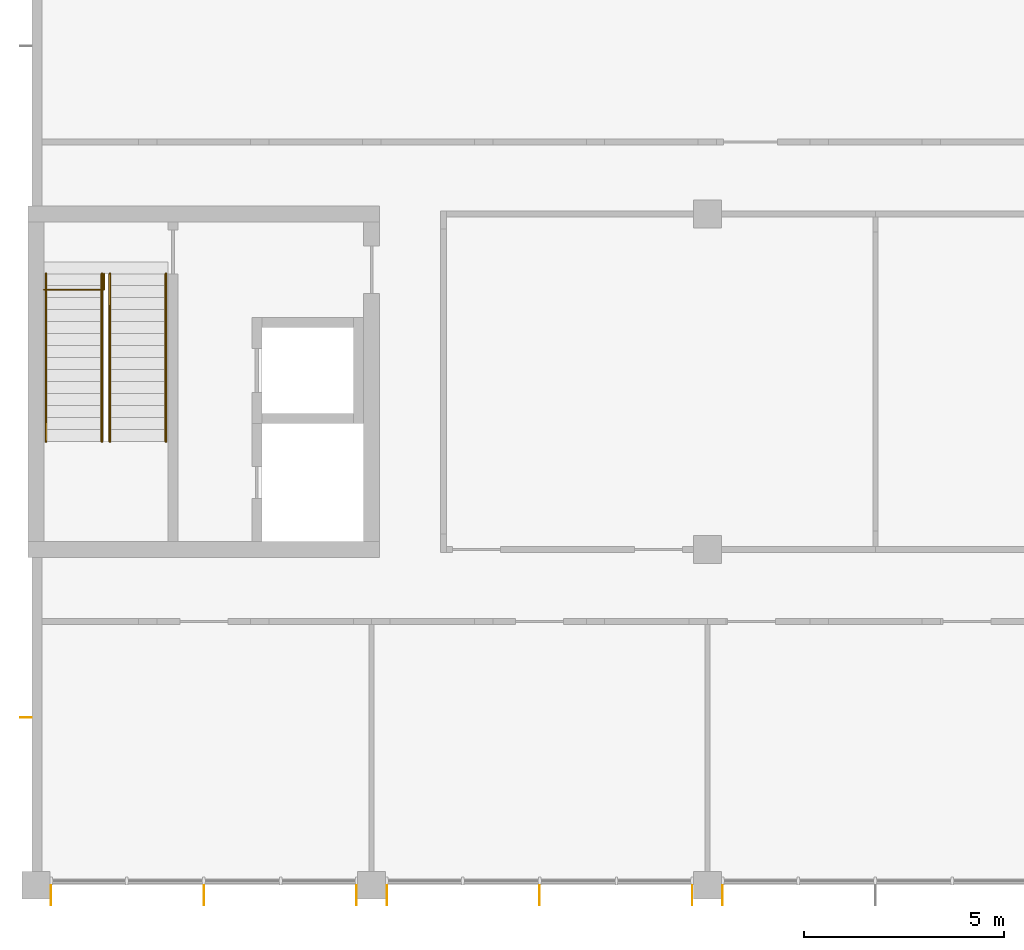
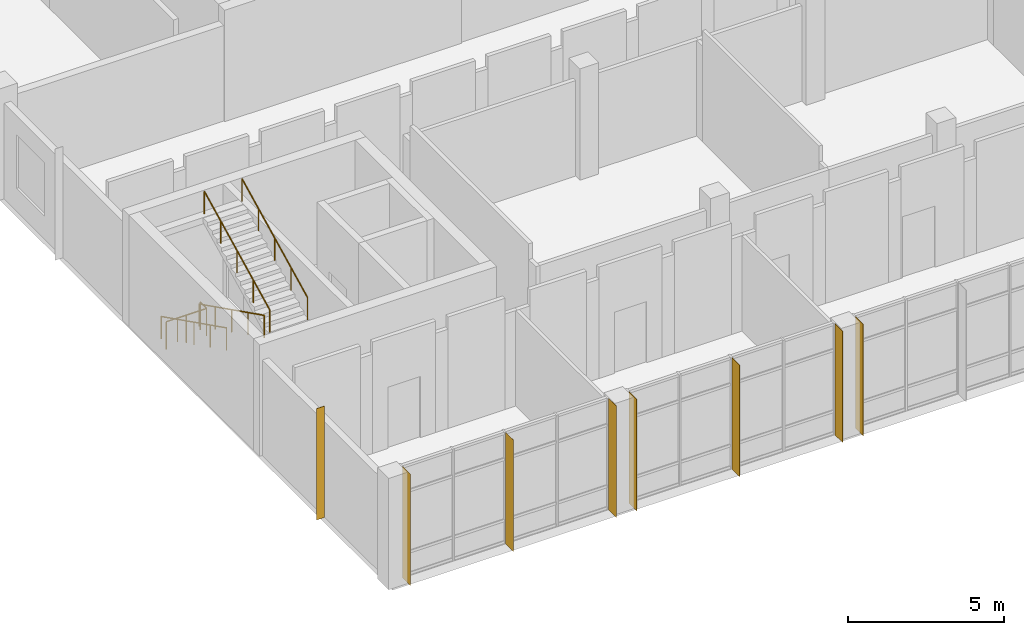
# One storey, part 53 of 70: 8 shading devices, 5 railings.
"""IFC4 building model written with IfcOpenShell, lengths in metres."""

from ifc_helpers import new_model, si_unit, direction, frame, origin, origin_2d, place, context, subcontext, project, spatial, rectangle, circle, extrude, material, layer, layer_set, type_object, element, save


model = new_model("IFC4")

# Units and contexts
model_context = context("Model", 3, precision=1e-05, world=origin(), true_north=direction((0.0, 1.0)))
body_context = subcontext(model_context, "Body", "Model", "MODEL_VIEW")
ifc_project = project(units=[si_unit("LENGTHUNIT", "METRE"), si_unit("AREAUNIT", "SQUARE_METRE"), si_unit("VOLUMEUNIT", "CUBIC_METRE"), si_unit("PLANEANGLEUNIT", "RADIAN"), si_unit("MASSUNIT", "GRAM", prefix="KILO")], contexts=[model_context])

# Site, building, storey
site_placement = place(None, origin())
site = spatial("IfcSite", under=ifc_project, at=site_placement, CompositionType="ELEMENT")
building_placement = place(site_placement, origin())
building = spatial("IfcBuilding", under=site, at=building_placement, Name="Hlaing Beacon Police Headquarters", CompositionType="ELEMENT")
storey_placement = place(building_placement, frame((0.0, 0.0, 5.39990234375)))
storey = spatial("IfcBuildingStorey", under=building, at=storey_placement, Name="L01", CompositionType="ELEMENT", Elevation=5.39990234375)

# Shading devices
ifc_material_1 = material(Name="Aluminium 6063-T5 anodised", Category="aluminium")
ifc_layer_1 = layer(ifc_material_1, 0.011962890625)
ifc_layer_set_1 = layer_set([ifc_layer_1], Name="Aluminium 6063-T5 anodised")
shading_device_type_1 = type_object("IfcShadingDeviceType", Name="Aluminium fin 12x300", PredefinedType="JALOUSIE", material=ifc_layer_set_1)
shading_device_placement = place(storey_placement, frame((8.14990234375, 12.60009765625, 0.0), z_axis=(0.0, 0.0, 1.0), x_axis=(0.0, -1.0, 0.0)))
element("IfcShadingDevice", 1, at=shading_device_placement, inside=storey, type_object=shading_device_type_1, Name="Fin L01 W002", PredefinedType="JALOUSIE", context=body_context, shape_type="SweptSolid", body=[
    extrude(rectangle(XDim=0.011962890625, YDim=0.300048828125, at=origin_2d()), origin(), (0.0, 0.0, 1.0), 4.3701171875),
])
ifc_material_2 = material(Name="Aluminium 6063-T5 anodised", Category="aluminium")
ifc_layer_2 = layer(ifc_material_2, 0.011962890625)
ifc_layer_set_2 = layer_set([ifc_layer_2], Name="Aluminium 6063-T5 anodised")
shading_device_type_2 = type_object("IfcShadingDeviceType", Name="Aluminium fin 12x500", PredefinedType="JALOUSIE", material=ifc_layer_set_2)
for number, where, z_axis, x_axis, name in (
    (2, (8.780029296875, 8.14990234375, 0.0), (0.0, 0.0, 1.0), (1.0, 0.0, 0.0), "Fin L01 S011.0"),
    (3, (12.60009765625, 8.14990234375, 0.0), (0.0, 0.0, 1.0), (1.0, 0.0, 0.0), "Fin L01 S011.2"),
    (4, (16.419921875, 8.14990234375, 0.0), (0.0, 0.0, 1.0), (1.0, 0.0, 0.0), "Fin L01 S011.4"),
    (5, (17.179931640625, 8.14990234375, 0.0), (0.0, 0.0, 1.0), (1.0, 0.0, 0.0), "Fin L01 S012.0"),
    (6, (21.0, 8.14990234375, 0.0), (0.0, 0.0, 1.0), (1.0, 0.0, 0.0), "Fin L01 S012.2"),
    (7, (24.820068359375, 8.14990234375, 0.0), (0.0, 0.0, 1.0), (1.0, 0.0, 0.0), "Fin L01 S012.4"),
    (8, (25.580078125, 8.14990234375, 0.0), (0.0, 0.0, 1.0), (1.0, 0.0, 0.0), "Fin L01 S013.0"),
):
    element("IfcShadingDevice", number, at=place(storey_placement, frame(where, z_axis=z_axis, x_axis=x_axis)), inside=storey, type_object=shading_device_type_2, Name=name, PredefinedType="JALOUSIE", context=body_context, shape_type="SweptSolid", body=[
        extrude(rectangle(XDim=0.011962890625, YDim=0.5, at=origin_2d()), origin(), (0.0, 0.0, 1.0), 4.3701171875),
    ])

# Railings
ifc_material_3 = material(Name="Stainless steel", Category="steel")
railing_type_1 = type_object("IfcRailingType", Name="Stair guard 1100", PredefinedType="GUARDRAIL", material=ifc_material_3)
railing_placement = place(storey_placement, frame((8.60009765625, 23.300048828125, 0.0)))
element("IfcRailing", 9, at=railing_placement, inside=storey, type_object=railing_type_1, Name="Guard ST-J", PredefinedType="GUARDRAIL", context=body_context, shape_type="SweptSolid", body=[
    extrude(circle(Radius=0.02392578125, at=origin_2d()), frame((0.0, 0.0, 1.076171875), z_axis=(1.0, 0.0, 0.0), x_axis=(0.0, 1.0, 0.0)), (0.0, 0.0, 1.0), 1.5),
    extrude(circle(Radius=0.02392578125, at=origin_2d()), frame((1.5, 0.0, 1.076171875), z_axis=(0.0, 1.0, 0.0), x_axis=(-1.0, 0.0, 0.0)), (0.0, 0.0, 1.0), 0.39990234375),
    extrude(circle(Radius=0.02099609375, at=origin_2d()), origin(), (0.0, 0.0, 1.0), 1.052001953125),
    extrude(circle(Radius=0.02099609375, at=origin_2d()), frame((0.75, 0.0, 0.0)), (0.0, 0.0, 1.0), 1.052001953125),
    extrude(circle(Radius=0.02099609375, at=origin_2d()), frame((1.5, 0.0, 0.0)), (0.0, 0.0, 1.0), 1.052001953125),
    extrude(circle(Radius=0.02099609375, at=origin_2d()), frame((1.5, 0.39990234375, 0.0)), (0.0, 0.0, 1.0), 1.052001953125),
])
ifc_material_4 = material(Name="Stainless steel", Category="steel")
railing_type_2 = type_object("IfcRailingType", Name="Stair handrail 900", PredefinedType="HANDRAIL", material=ifc_material_4)
for number, where, name in (
    (10, (8.64990234375, 23.699951171875, 0.150146484375), "Handrail ST-J"),
    (11, (10.050048828125, 23.699951171875, 0.150146484375), "Handrail ST-J"),
):
    element("IfcRailing", number, at=place(storey_placement, frame(where)), inside=storey, type_object=railing_type_2, Name=name, PredefinedType="HANDRAIL", context=body_context, shape_type="SweptSolid", body=[
        extrude(circle(Radius=0.02392578125, at=origin_2d()), frame((0.0, 0.0, 0.8759765625), z_axis=(0.0, -0.894437589381, 0.447192798132), x_axis=(1.0, 0.0, 0.0)), (0.0, 0.0, 1.0), 4.695556640625),
        extrude(circle(Radius=0.02099609375, at=origin_2d()), origin(), (0.0, 0.0, 1.0), 0.851806640625),
        extrude(circle(Radius=0.02099609375, at=origin_2d()), frame((0.0, -1.050048828125, 0.52490234375)), (0.0, 0.0, 1.0), 0.851806640625),
        extrude(circle(Radius=0.02099609375, at=origin_2d()), frame((0.0, -2.10009765625, 1.0498046875)), (0.0, 0.0, 1.0), 0.851806640625),
        extrude(circle(Radius=0.02099609375, at=origin_2d()), frame((0.0, -3.14990234375, 1.574951171875)), (0.0, 0.0, 1.0), 0.851806640625),
        extrude(circle(Radius=0.02099609375, at=origin_2d()), frame((0.0, -4.199951171875, 2.099853515625)), (0.0, 0.0, 1.0), 0.851806640625),
    ])
for number, where, name in (
    (12, (10.25, 19.5, 2.400146484375), "Handrail ST-J"),
    (13, (11.64990234375, 19.5, 2.400146484375), "Handrail ST-J"),
):
    element("IfcRailing", number, at=place(storey_placement, frame(where)), inside=storey, type_object=railing_type_2, Name=name, PredefinedType="HANDRAIL", context=body_context, shape_type="SweptSolid", body=[
        extrude(circle(Radius=0.02392578125, at=origin_2d()), frame((0.0, 0.0, 0.8759765625), z_axis=(0.0, 0.894437589381, 0.447192798132), x_axis=(-1.0, 0.0, 0.0)), (0.0, 0.0, 1.0), 4.695556640625),
        extrude(circle(Radius=0.02099609375, at=origin_2d()), origin(), (0.0, 0.0, 1.0), 0.851806640625),
        extrude(circle(Radius=0.02099609375, at=origin_2d()), frame((0.0, 1.050048828125, 0.52490234375)), (0.0, 0.0, 1.0), 0.851806640625),
        extrude(circle(Radius=0.02099609375, at=origin_2d()), frame((0.0, 2.10009765625, 1.0498046875)), (0.0, 0.0, 1.0), 0.851806640625),
        extrude(circle(Radius=0.02099609375, at=origin_2d()), frame((0.0, 3.14990234375, 1.574951171875)), (0.0, 0.0, 1.0), 0.851806640625),
        extrude(circle(Radius=0.02099609375, at=origin_2d()), frame((0.0, 4.199951171875, 2.099853515625)), (0.0, 0.0, 1.0), 0.851806640625),
    ])

save(model, "model.ifc")
